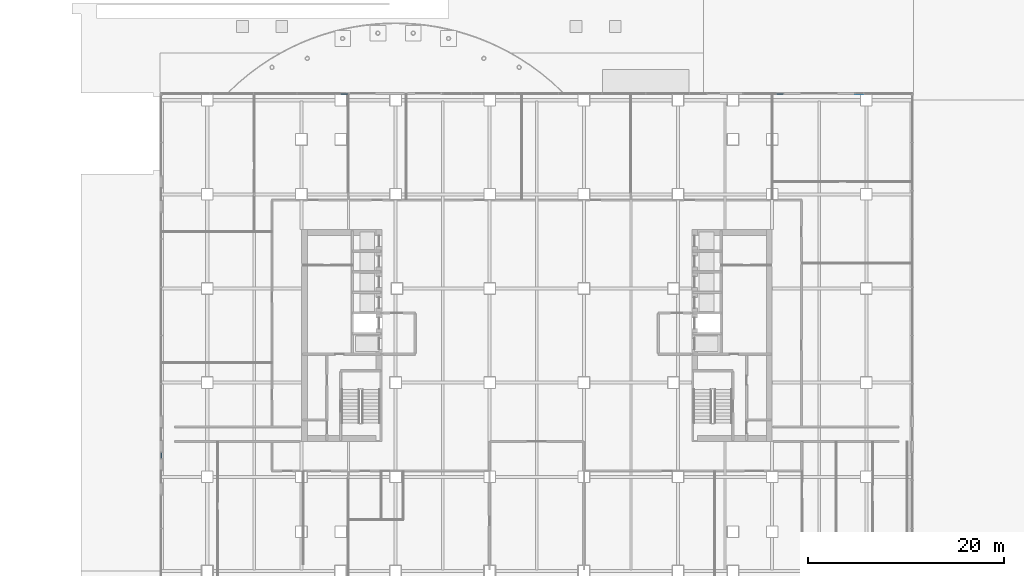
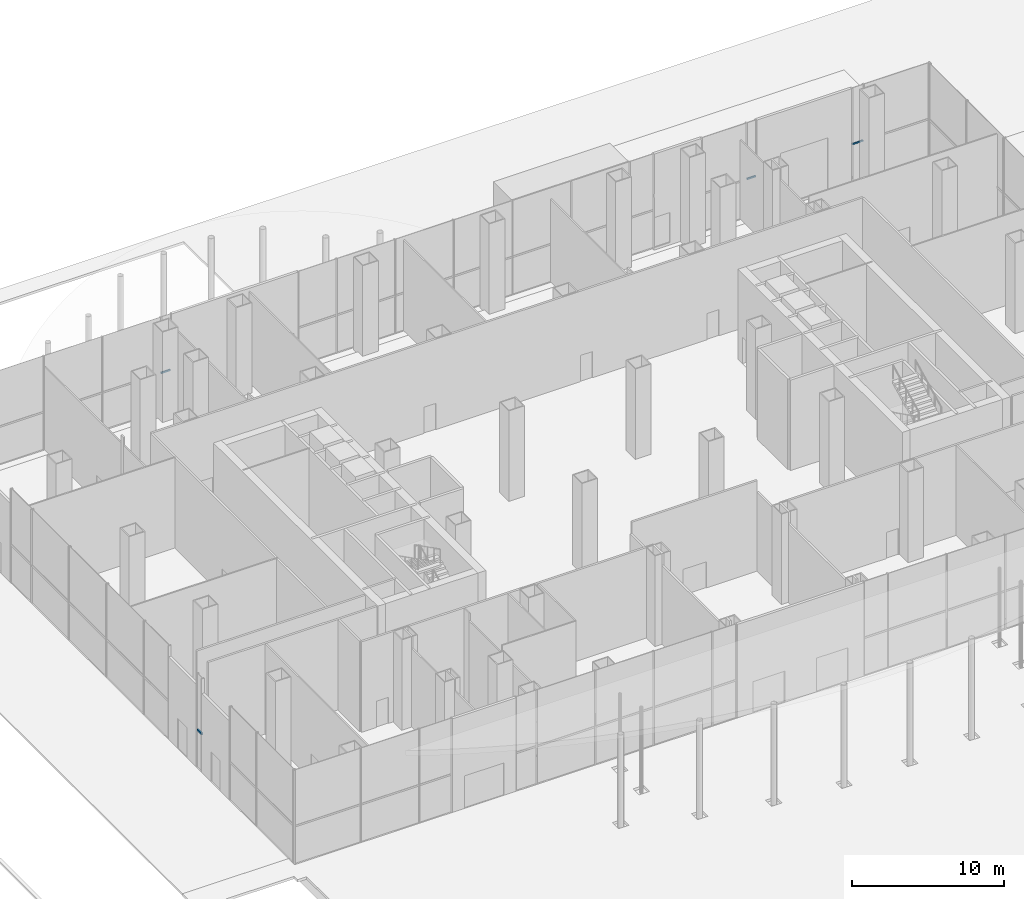
# One storey, part 19 of 36: 4 members, 4 elements without a shape of their own.
"""IFC4 building model written with IfcOpenShell, lengths in metres."""

from ifc_helpers import new_model, si_unit, direction, frame, origin, origin_2d, place, context, subcontext, project, spatial, rectangle, extrude, material, material_profile, profile_set, type_object, element, aggregate, save


model = new_model("IFC4")

# Units and contexts
model_context = context("Model", 3, precision=1e-05, world=origin(), true_north=direction((0.0, 1.0)))
body_context = subcontext(model_context, "Body", "Model", "MODEL_VIEW")
ifc_project = project(units=[si_unit("LENGTHUNIT", "METRE"), si_unit("AREAUNIT", "SQUARE_METRE"), si_unit("VOLUMEUNIT", "CUBIC_METRE"), si_unit("PLANEANGLEUNIT", "RADIAN"), si_unit("MASSUNIT", "GRAM", prefix="KILO")], contexts=[model_context])

# Site, building, storey
site_placement = place(None, origin())
site = spatial("IfcSite", under=ifc_project, at=site_placement, CompositionType="ELEMENT")
building_placement = place(site_placement, origin())
building = spatial("IfcBuilding", under=site, at=building_placement, Name="Cobrizo Arcos Hotel Tower", CompositionType="ELEMENT")
storey_placement = place(building_placement, origin())
storey = spatial("IfcBuildingStorey", under=building, at=storey_placement, Name="L00", CompositionType="ELEMENT", Elevation=0.0)

# Curtain wall, member
ifc_material = material(Name="Aluminium 6063-T6 anodised bronze", Category="aluminium")
curtain_wall_type_1 = type_object("IfcCurtainWallType", Name="CW-A guest facade", PredefinedType="NOTDEFINED", material=ifc_material)
curtain_wall_1_placement = place(storey_placement, origin())
curtain_wall_1 = element("IfcCurtainWall", 1, at=curtain_wall_1_placement, inside=storey, type_object=curtain_wall_type_1, Name="CW-A L00 N face", PredefinedType="NOTDEFINED")
ifc_material_profile_1 = material_profile(ifc_material, rectangle(XDim=0.10009765625, YDim=0.1201171875, at=origin_2d()), Name="CW-A transom 120x100")
ifc_profile_set_1 = profile_set([ifc_material_profile_1], Name="Aluminium 6063-T6 anodised bronze")
member_type_1 = type_object("IfcMemberType", Name="CW-A transom 120x100", PredefinedType="USERDEFINED", material=ifc_profile_set_1)
member_1_placement = place(storey_placement, frame((33.30322265625, 24.675048828125, 3.0), z_axis=(-1.0, 0.0, 0.0), x_axis=(0.0, -1.0, 0.0)))
member_1 = element("IfcMember", 2, at=member_1_placement, type_object=member_type_1, Name="CW-A transom 12", ObjectType="TRANSOM", PredefinedType="USERDEFINED", context=body_context, shape_type="SweptSolid", body=[
    extrude(rectangle(XDim=0.10009765625, YDim=0.1201171875, at=origin_2d()), origin(), (0.0, 0.0, 1.0), 0.84326171875),
])
aggregate(curtain_wall_1, [member_1])

curtain_wall_2_placement = place(storey_placement, origin())
curtain_wall_2 = element("IfcCurtainWall", 3, at=curtain_wall_2_placement, inside=storey, type_object=curtain_wall_type_1, Name="CW-A L00 N face", PredefinedType="NOTDEFINED")
member_2_placement = place(storey_placement, frame((25.139892578125, 24.675048828125, 3.0), z_axis=(-1.0, 0.0, 0.0), x_axis=(0.0, -1.0, 0.0)))
member_2 = element("IfcMember", 4, at=member_2_placement, type_object=member_type_1, Name="CW-A transom 13", ObjectType="TRANSOM", PredefinedType="USERDEFINED", context=body_context, shape_type="SweptSolid", body=[
    extrude(rectangle(XDim=0.10009765625, YDim=0.1201171875, at=origin_2d()), origin(), (0.0, 0.0, 1.0), 0.66552734375),
])
aggregate(curtain_wall_2, [member_2])

curtain_wall_3_placement = place(storey_placement, origin())
curtain_wall_3 = element("IfcCurtainWall", 5, at=curtain_wall_3_placement, inside=storey, type_object=curtain_wall_type_1, Name="CW-A L00 N face", PredefinedType="NOTDEFINED")
member_3_placement = place(storey_placement, frame((-19.260009765625, 24.675048828125, 3.0), z_axis=(-1.0, 0.0, 0.0), x_axis=(0.0, -1.0, 0.0)))
member_3 = element("IfcMember", 6, at=member_3_placement, type_object=member_type_1, Name="CW-A transom 22", ObjectType="TRANSOM", PredefinedType="USERDEFINED", context=body_context, shape_type="SweptSolid", body=[
    extrude(rectangle(XDim=0.10009765625, YDim=0.1201171875, at=origin_2d()), origin(), (0.0, 0.0, 1.0), 0.7099609375),
])
aggregate(curtain_wall_3, [member_3])

curtain_wall_type_2 = type_object("IfcCurtainWallType", Name="CW-B podium glazing", PredefinedType="NOTDEFINED", material=ifc_material)
curtain_wall_4_placement = place(storey_placement, origin())
curtain_wall_4 = element("IfcCurtainWall", 7, at=curtain_wall_4_placement, inside=storey, type_object=curtain_wall_type_2, Name="CW-B L00 W face", PredefinedType="NOTDEFINED")
ifc_material_profile_2 = material_profile(ifc_material, rectangle(XDim=0.1201171875, YDim=0.159912109375, at=origin_2d()), Name="CW-B transom 160x120")
ifc_profile_set_2 = profile_set([ifc_material_profile_2], Name="Aluminium 6063-T6 anodised bronze")
member_type_2 = type_object("IfcMemberType", Name="CW-B transom 160x120", PredefinedType="USERDEFINED", material=ifc_profile_set_2)
member_4_placement = place(storey_placement, frame((-38.300048828125, -11.929931640625, 3.0), z_axis=(0.0, -1.0, 0.0), x_axis=(1.0, 0.0, 0.0)))
member_4 = element("IfcMember", 8, at=member_4_placement, type_object=member_type_2, Name="CW-B transom 34", ObjectType="TRANSOM", PredefinedType="USERDEFINED", context=body_context, shape_type="SweptSolid", body=[
    extrude(rectangle(XDim=0.1201171875, YDim=0.159912109375, at=origin_2d()), origin(), (0.0, 0.0, 1.0), 0.590087890625),
])
aggregate(curtain_wall_4, [member_4])

save(model, "model.ifc")
